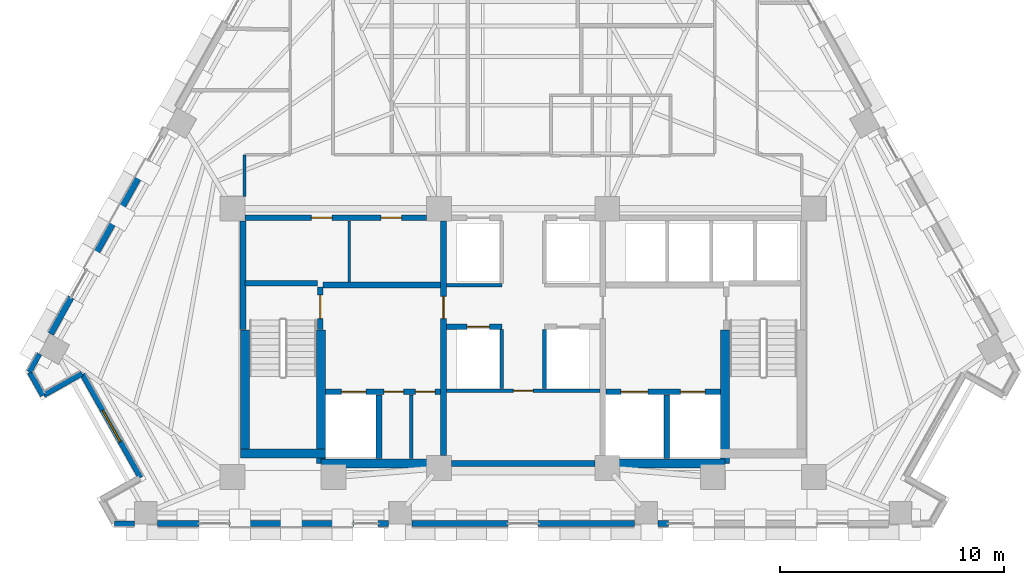
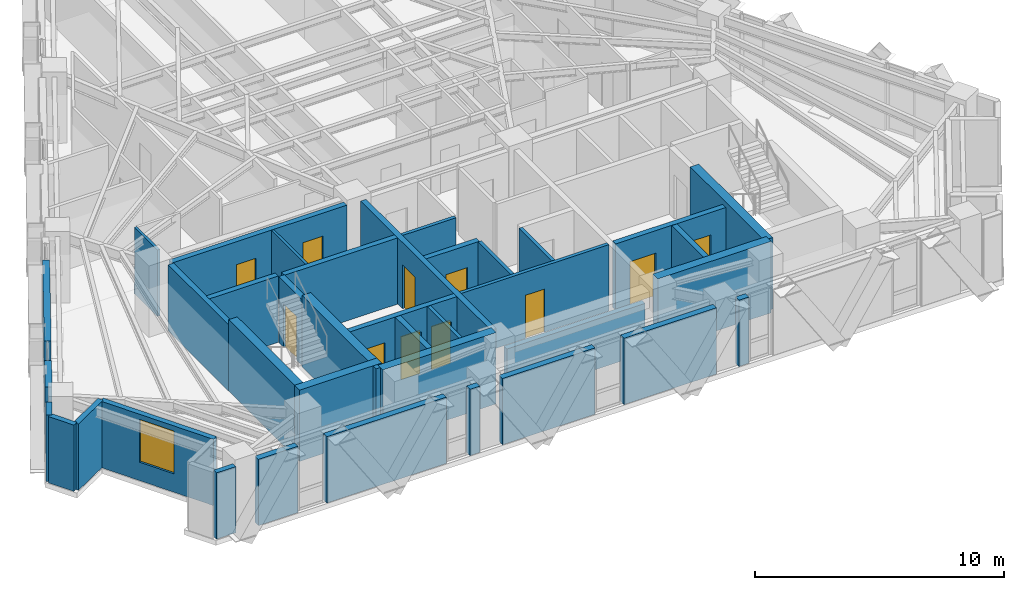
# One storey, part 7 of 13: 38 walls, 11 doors, 1 window, 12 openings.
"""IFC4 building model written with IfcOpenShell, lengths in metres."""

from ifc_helpers import new_model, si_unit, direction, frame, frame_2d, origin, place, context, subcontext, project, spatial, rectangle, extrude, material, layer, layer_set, type_object, element, fill, save


model = new_model("IFC4")

# Units and contexts
model_context = context("Model", 3, precision=1e-05, world=origin(), true_north=direction((0.0, 1.0)))
body_context = subcontext(model_context, "Body", "Model", "MODEL_VIEW")
ifc_project = project(units=[si_unit("LENGTHUNIT", "METRE"), si_unit("AREAUNIT", "SQUARE_METRE"), si_unit("VOLUMEUNIT", "CUBIC_METRE"), si_unit("PLANEANGLEUNIT", "RADIAN"), si_unit("MASSUNIT", "GRAM", prefix="KILO")], contexts=[model_context])

# Site, building, storey
site_placement = place(None, origin())
site = spatial("IfcSite", under=ifc_project, at=site_placement, CompositionType="ELEMENT")
building_placement = place(site_placement, origin())
building = spatial("IfcBuilding", under=site, at=building_placement, Name="Quenlor Broadcast Tower", CompositionType="ELEMENT")
storey_placement = place(building_placement, frame((0.0, 0.0, 172.0)))
storey = spatial("IfcBuildingStorey", under=building, at=storey_placement, Name="L47", CompositionType="ELEMENT", Elevation=172.0)

# Walls
ifc_material_1 = material(Name="Concrete C50/60", Category="concrete")
ifc_layer_1 = layer(ifc_material_1, 0.39990234375)
ifc_layer_set_1 = layer_set([ifc_layer_1], Name="Core Concrete C50/60 Shear Wall 400")
wall_type_1 = type_object("IfcWallType", Name="Core Concrete C50/60 Shear Wall 400", PredefinedType="SHEAR", material=ifc_layer_set_1)
wall_1_placement = place(storey_placement, frame((-12.60009765625, -15.699951171875, 0.0), z_axis=(0.0, 0.0, 1.0), x_axis=(1.0, 0.0, 0.0)))
element("IfcWall", 1, at=wall_1_placement, inside=storey, type_object=wall_type_1, Name="L47 Core Shear Wall WS-W1", PredefinedType="SHEAR", context=body_context, shape_type="SweptSolid", body=[
    extrude(rectangle(XDim=3.800048828125, YDim=0.39990234375, at=frame_2d((1.89990234375, 0.0))), origin(), (0.0, 0.0, 1.0), 3.5),
])
for number, where, z_axis, x_axis, name in (
    (2, (-9.0, -16.14990234375, 0.0), (0.0, 0.0, 1.0), (1.0, 0.0, 0.0), "L47 Core Shear Wall WS-W2"),
    (3, (3.75, -16.14990234375, 0.0), (0.0, 0.0, 1.0), (1.0, 0.0, 0.0), "L47 Core Shear Wall WS-E1"),
):
    element("IfcWall", number, at=place(storey_placement, frame(where, z_axis=z_axis, x_axis=x_axis)), inside=storey, type_object=wall_type_1, Name=name, PredefinedType="SHEAR", context=body_context, shape_type="SweptSolid", body=[
        extrude(rectangle(XDim=5.25, YDim=0.39990234375, at=frame_2d((2.625, 0.0))), origin(), (0.0, 0.0, 1.0), 3.5),
    ])
wall_2_placement = place(storey_placement, frame((-12.39990234375, -15.699951171875, 0.0), z_axis=(0.0, 0.0, 1.0), x_axis=(0.0, 1.0, 0.0)))
element("IfcWall", 4, at=wall_2_placement, inside=storey, type_object=wall_type_1, Name="L47 Core Shear Wall WF-W", PredefinedType="SHEAR", context=body_context, shape_type="SweptSolid", body=[
    extrude(rectangle(XDim=5.5, YDim=0.39990234375, at=frame_2d((2.75, 0.0))), origin(), (0.0, 0.0, 1.0), 3.5),
])
for number, where, z_axis, x_axis, name in (
    (5, (-9.0, -16.14990234375, 0.0), (0.0, 0.0, 1.0), (0.0, 1.0, 0.0), "L47 Core Shear Wall WI-W"),
    (6, (9.0, -16.14990234375, 0.0), (0.0, 0.0, 1.0), (0.0, 1.0, 0.0), "L47 Core Shear Wall WI-E"),
):
    element("IfcWall", number, at=place(storey_placement, frame(where, z_axis=z_axis, x_axis=x_axis)), inside=storey, type_object=wall_type_1, Name=name, PredefinedType="SHEAR", context=body_context, shape_type="SweptSolid", body=[
        extrude(rectangle(XDim=5.949951171875, YDim=0.39990234375, at=frame_2d((2.97509765625, 0.0))), origin(), (0.0, 0.0, 1.0), 3.5),
    ])

# Wall, opening, door
ifc_material_2 = material(Name="Concrete C40/50", Category="concrete")
ifc_layer_2 = layer(ifc_material_2, 0.25)
ifc_layer_set_2 = layer_set([ifc_layer_2], Name="Fire Rated Concrete C40/50 Core Wall 250")
wall_type_2 = type_object("IfcWallType", Name="Fire Rated Concrete C40/50 Core Wall 250", PredefinedType="PARTITIONING", material=ifc_layer_set_2)
wall_3_placement = place(storey_placement, frame((-9.0400390625, -10.179931640625, 0.0), z_axis=(0.0, 0.0, 1.0), x_axis=(0.0, 1.0, 0.0)))
wall_3 = element("IfcWall", 7, at=wall_3_placement, inside=storey, type_object=wall_type_2, Name="L47 Interior Wall CW-ST1-DR", PredefinedType="PARTITIONING", context=body_context, shape_type="SweptSolid", body=[
    extrude(rectangle(XDim=1.89990234375, YDim=0.25, at=frame_2d((0.949951171875, 0.0))), origin(), (0.0, 0.0, 1.0), 3.25),
])
opening_1_placement = place(wall_3_placement, frame((0.47998046875, 0.0, 0.0)))
opening_1 = element("IfcOpeningElement", 8, at=opening_1_placement, cuts=wall_3, Name="Opening FD-1", PredefinedType="OPENING", context=body_context, shape_type="SweptSolid", body=[
    extrude(rectangle(XDim=1.050048828125, YDim=2.14990234375, at=frame_2d((0.52490234375, 1.074951171875))), frame((0.0, 0.135009765625, 0.0), z_axis=(0.0, -1.0, 0.0), x_axis=(1.0, 0.0, 0.0)), (0.0, 0.0, 1.0), 0.27001953125),
])
ifc_material_3 = material(Name="Fire Rated Steel Door Leaf", Category="steel")
door_type_1 = type_object("IfcDoorType", Name="Fire Isolated Stair Door 1050x2150", OperationType="NOTDEFINED", PredefinedType="DOOR", material=ifc_material_3)
door_1_placement = place(opening_1_placement, origin())
door_1 = element("IfcDoor", 9, at=door_1_placement, inside=storey, type_object=door_type_1, Name="L47 Door DR-ST1", OperationType="SINGLE_SWING_LEFT", OverallHeight=2.14990234375, OverallWidth=1.050048828125, PredefinedType="DOOR", context=body_context, shape_type="SweptSolid", body=[
    extrude(rectangle(XDim=1.050048828125, YDim=2.14990234375, at=frame_2d((0.52490234375, 1.074951171875))), frame((0.0, 0.02490234375, 0.0), z_axis=(0.0, -1.0, 0.0), x_axis=(1.0, 0.0, 0.0)), (0.0, 0.0, 1.0), 0.050048828125),
])
fill(opening_1, door_1)

# Walls
wall_4_placement = place(storey_placement, frame((-12.3798828125, -8.1201171875, 0.0), z_axis=(0.0, 0.0, 1.0), x_axis=(1.0, 0.0, 0.0)))
element("IfcWall", 10, at=wall_4_placement, inside=storey, type_object=wall_type_2, Name="L47 Interior Wall CW-ST1-N", PredefinedType="PARTITIONING", context=body_context, shape_type="SweptSolid", body=[
    extrude(rectangle(XDim=3.219970703125, YDim=0.25, at=frame_2d((1.60986328125, 0.0))), origin(), (0.0, 0.0, 1.0), 3.25),
])
wall_5_placement = place(storey_placement, frame((-12.47998046875, -10.179931640625, 0.0), z_axis=(0.0, 0.0, 1.0), x_axis=(0.0, 1.0, 0.0)))
element("IfcWall", 11, at=wall_5_placement, inside=storey, type_object=wall_type_2, Name="L47 Interior Wall CW-ST1-W2", PredefinedType="PARTITIONING", context=body_context, shape_type="SweptSolid", body=[
    extrude(rectangle(XDim=4.827880859375, YDim=0.25, at=frame_2d((2.4140625, 0.0))), origin(), (0.0, 0.0, 1.0), 3.25),
])

# Wall, openings, doors
wall_6_placement = place(storey_placement, frame((-8.798095703125, -12.949951171875, 0.0), z_axis=(0.0, 0.0, 1.0), x_axis=(1.0, 0.0, 0.0)))
wall_6 = element("IfcWall", 12, at=wall_6_placement, inside=storey, type_object=wall_type_2, Name="L47 Interior Wall CW-FFW-S", PredefinedType="PARTITIONING", context=body_context, shape_type="SweptSolid", body=[
    extrude(rectangle(XDim=5.1181640625, YDim=0.25, at=frame_2d((2.55908203125, 0.0))), origin(), (0.0, 0.0, 1.0), 3.25),
])
opening_2_placement = place(wall_6_placement, frame((0.697998046875, 0.0, 0.0)))
opening_2 = element("IfcOpeningElement", 13, at=opening_2_placement, cuts=wall_6, Name="Opening LD-FFL-1", PredefinedType="OPENING", context=body_context, shape_type="SweptSolid", body=[
    extrude(rectangle(XDim=1.10009765625, YDim=2.14990234375, at=frame_2d((0.550048828125, 1.074951171875))), frame((0.0, 0.135009765625, 0.0), z_axis=(0.0, -1.0, 0.0), x_axis=(1.0, 0.0, 0.0)), (0.0, 0.0, 1.0), 0.27001953125),
])
opening_3_placement = place(wall_6_placement, frame((2.597900390625, 0.0, 0.0)))
opening_3 = element("IfcOpeningElement", 14, at=opening_3_placement, cuts=wall_6, Name="Opening TD-1", PredefinedType="OPENING", context=body_context, shape_type="SweptSolid", body=[
    extrude(rectangle(XDim=0.8798828125, YDim=2.10009765625, at=frame_2d((0.43994140625, 1.050048828125))), frame((0.0, 0.135009765625, 0.0), z_axis=(0.0, -1.0, 0.0), x_axis=(1.0, 0.0, 0.0)), (0.0, 0.0, 1.0), 0.27001953125),
])
opening_4_placement = place(wall_6_placement, frame((3.998046875, 0.0, 0.0)))
opening_4 = element("IfcOpeningElement", 15, at=opening_4_placement, cuts=wall_6, Name="Opening TD-1", PredefinedType="OPENING", context=body_context, shape_type="SweptSolid", body=[
    extrude(rectangle(XDim=0.8798828125, YDim=2.10009765625, at=frame_2d((0.43994140625, 1.050048828125))), frame((0.0, 0.135009765625, 0.0), z_axis=(0.0, -1.0, 0.0), x_axis=(1.0, 0.0, 0.0)), (0.0, 0.0, 1.0), 0.27001953125),
])
ifc_material_4 = material(Name="Brushed Stainless Steel", Category="steel")
door_type_2 = type_object("IfcDoorType", Name="Emergency Lift Sliding Landing Door 1100x2150", OperationType="NOTDEFINED", PredefinedType="DOOR", material=ifc_material_4)
door_2_placement = place(opening_2_placement, origin())
door_2 = element("IfcDoor", 16, at=door_2_placement, inside=storey, type_object=door_type_2, Name="L47 Door LD-FFL-1", OperationType="SLIDING_TO_LEFT", OverallHeight=2.14990234375, OverallWidth=1.10009765625, PredefinedType="DOOR", context=body_context, shape_type="SweptSolid", body=[
    extrude(rectangle(XDim=1.10009765625, YDim=2.14990234375, at=frame_2d((0.550048828125, 1.074951171875))), frame((0.0, 0.02490234375, 0.0), z_axis=(0.0, -1.0, 0.0), x_axis=(1.0, 0.0, 0.0)), (0.0, 0.0, 1.0), 0.050048828125),
])
fill(opening_2, door_2)
ifc_material_5 = material(Name="Fire Rated Steel Access Panel", Category="steel")
door_type_3 = type_object("IfcDoorType", Name="Riser Shaft Rated Access Trapdoor 880x2100", OperationType="NOTDEFINED", PredefinedType="TRAPDOOR", material=ifc_material_5)
door_3_placement = place(opening_3_placement, origin())
door_3 = element("IfcDoor", 17, at=door_3_placement, inside=storey, type_object=door_type_3, Name="L47 Door DR-ELR", OperationType="SINGLE_SWING_LEFT", OverallHeight=2.10009765625, OverallWidth=0.8798828125, PredefinedType="TRAPDOOR", context=body_context, shape_type="SweptSolid", body=[
    extrude(rectangle(XDim=0.8798828125, YDim=2.10009765625, at=frame_2d((0.43994140625, 1.050048828125))), frame((0.0, 0.02490234375, 0.0), z_axis=(0.0, -1.0, 0.0), x_axis=(1.0, 0.0, 0.0)), (0.0, 0.0, 1.0), 0.050048828125),
])
fill(opening_3, door_3)
door_4_placement = place(opening_4_placement, origin())
door_4 = element("IfcDoor", 18, at=door_4_placement, inside=storey, type_object=door_type_3, Name="L47 Door DR-CMR", OperationType="SINGLE_SWING_RIGHT", OverallHeight=2.10009765625, OverallWidth=0.8798828125, PredefinedType="TRAPDOOR", context=body_context, shape_type="SweptSolid", body=[
    extrude(rectangle(XDim=0.8798828125, YDim=2.10009765625, at=frame_2d((0.43994140625, 1.050048828125))), frame((0.0, 0.02490234375, 0.0), z_axis=(0.0, -1.0, 0.0), x_axis=(1.0, 0.0, 0.0)), (0.0, 0.0, 1.0), 0.050048828125),
])
fill(opening_4, door_4)

wall_7_placement = place(storey_placement, frame((3.679931640625, -12.949951171875, 0.0), z_axis=(0.0, 0.0, 1.0), x_axis=(1.0, 0.0, 0.0)))
wall_7 = element("IfcWall", 19, at=wall_7_placement, inside=storey, type_object=wall_type_2, Name="L47 Interior Wall CW-FFE-S", PredefinedType="PARTITIONING", context=body_context, shape_type="SweptSolid", body=[
    extrude(rectangle(XDim=5.1181640625, YDim=0.25, at=frame_2d((2.55908203125, 0.0))), origin(), (0.0, 0.0, 1.0), 3.25),
])
opening_5_placement = place(wall_7_placement, frame((3.320068359375, 0.0, 0.0)))
opening_5 = element("IfcOpeningElement", 20, at=opening_5_placement, cuts=wall_7, Name="Opening LD-FFL-2", PredefinedType="OPENING", context=body_context, shape_type="SweptSolid", body=[
    extrude(rectangle(XDim=1.10009765625, YDim=2.14990234375, at=frame_2d((0.550048828125, 1.074951171875))), frame((0.0, 0.135009765625, 0.0), z_axis=(0.0, -1.0, 0.0), x_axis=(1.0, 0.0, 0.0)), (0.0, 0.0, 1.0), 0.27001953125),
])
opening_6_placement = place(wall_7_placement, frame((0.669921875, 0.0, 0.0)))
opening_6 = element("IfcOpeningElement", 21, at=opening_6_placement, cuts=wall_7, Name="Opening LD-SVL-1", PredefinedType="OPENING", context=body_context, shape_type="SweptSolid", body=[
    extrude(rectangle(XDim=1.199951171875, YDim=2.14990234375, at=frame_2d((0.60009765625, 1.074951171875))), frame((0.0, 0.135009765625, 0.0), z_axis=(0.0, -1.0, 0.0), x_axis=(1.0, 0.0, 0.0)), (0.0, 0.0, 1.0), 0.27001953125),
])
door_5_placement = place(opening_5_placement, origin())
door_5 = element("IfcDoor", 22, at=door_5_placement, inside=storey, type_object=door_type_2, Name="L47 Door LD-FFL-2", OperationType="SLIDING_TO_RIGHT", OverallHeight=2.14990234375, OverallWidth=1.10009765625, PredefinedType="DOOR", context=body_context, shape_type="SweptSolid", body=[
    extrude(rectangle(XDim=1.10009765625, YDim=2.14990234375, at=frame_2d((0.550048828125, 1.074951171875))), frame((0.0, 0.02490234375, 0.0), z_axis=(0.0, -1.0, 0.0), x_axis=(1.0, 0.0, 0.0)), (0.0, 0.0, 1.0), 0.050048828125),
])
fill(opening_5, door_5)
ifc_material_6 = material(Name="Brushed Stainless Steel", Category="steel")
door_type_4 = type_object("IfcDoorType", Name="Goods Lift Sliding Landing Door 1200x2150", OperationType="NOTDEFINED", PredefinedType="DOOR", material=ifc_material_6)
door_6_placement = place(opening_6_placement, origin())
door_6 = element("IfcDoor", 23, at=door_6_placement, inside=storey, type_object=door_type_4, Name="L47 Door LD-SVL-1", OperationType="SLIDING_TO_LEFT", OverallHeight=2.14990234375, OverallWidth=1.199951171875, PredefinedType="DOOR", context=body_context, shape_type="SweptSolid", body=[
    extrude(rectangle(XDim=1.199951171875, YDim=2.14990234375, at=frame_2d((0.60009765625, 1.074951171875))), frame((0.0, 0.02490234375, 0.0), z_axis=(0.0, -1.0, 0.0), x_axis=(1.0, 0.0, 0.0)), (0.0, 0.0, 1.0), 0.050048828125),
])
fill(opening_6, door_6)

# Walls
for number, where, z_axis, x_axis, name in (
    (24, (-6.419921875, -15.919921875, 0.0), (0.0, 0.0, 1.0), (0.0, 1.0, 0.0), "L47 Interior Wall CW-FF1-E"),
    (25, (6.39990234375, -15.919921875, 0.0), (0.0, 0.0, 1.0), (0.0, 1.0, 0.0), "L47 Interior Wall CW-SV1-E"),
):
    element("IfcWall", number, at=place(storey_placement, frame(where, z_axis=z_axis, x_axis=x_axis)), inside=storey, type_object=wall_type_2, Name=name, PredefinedType="PARTITIONING", context=body_context, shape_type="SweptSolid", body=[
        extrude(rectangle(XDim=2.829833984375, YDim=0.25, at=frame_2d((1.4150390625, 0.0))), origin(), (0.0, 0.0, 1.0), 3.25),
    ])
wall_8_placement = place(storey_placement, frame((-8.919921875, -8.199951171875, 0.0), z_axis=(0.0, 0.0, 1.0), x_axis=(1.0, 0.0, 0.0)))
element("IfcWall", 26, at=wall_8_placement, inside=storey, type_object=wall_type_2, Name="L47 Interior Wall CW-FFW-N", PredefinedType="PARTITIONING", context=body_context, shape_type="SweptSolid", body=[
    extrude(rectangle(XDim=5.239990234375, YDim=0.25, at=frame_2d((2.6201171875, 0.0))), origin(), (0.0, 0.0, 1.0), 3.25),
])

# Wall, opening, door
wall_9_placement = place(storey_placement, frame((-3.550048828125, -15.798095703125, 0.0), z_axis=(0.0, 0.0, 1.0), x_axis=(0.0, 1.0, 0.0)))
wall_9 = element("IfcWall", 27, at=wall_9_placement, inside=storey, type_object=wall_type_2, Name="L47 Interior Wall CW-FFW-E", PredefinedType="PARTITIONING", context=body_context, shape_type="SweptSolid", body=[
    extrude(rectangle(XDim=10.446044921875, YDim=0.25, at=frame_2d((5.22314453125, 0.0))), origin(), (0.0, 0.0, 1.0), 3.25),
])
opening_7_placement = place(wall_9_placement, frame((6.097900390625, 0.0, 0.0)))
opening_7 = element("IfcOpeningElement", 28, at=opening_7_placement, cuts=wall_9, Name="Opening FD-2", PredefinedType="OPENING", context=body_context, shape_type="SweptSolid", body=[
    extrude(rectangle(XDim=1.0, YDim=2.14990234375, at=frame_2d((0.5, 1.074951171875))), frame((0.0, 0.135009765625, 0.0), z_axis=(0.0, -1.0, 0.0), x_axis=(1.0, 0.0, 0.0)), (0.0, 0.0, 1.0), 0.27001953125),
])
ifc_material_7 = material(Name="Fire Rated Glazed Steel Door", Category="steel")
door_type_5 = type_object("IfcDoorType", Name="Firefighting Lobby Smoke Door 1000x2150", OperationType="NOTDEFINED", PredefinedType="DOOR", material=ifc_material_7)
door_7_placement = place(opening_7_placement, origin())
door_7 = element("IfcDoor", 29, at=door_7_placement, inside=storey, type_object=door_type_5, Name="L47 Door DR-FFLW", OperationType="SINGLE_SWING_RIGHT", OverallHeight=2.14990234375, OverallWidth=1.0, PredefinedType="DOOR", context=body_context, shape_type="SweptSolid", body=[
    extrude(rectangle(XDim=1.0, YDim=2.14990234375, at=frame_2d((0.5, 1.074951171875))), frame((0.0, 0.02490234375, 0.0), z_axis=(0.0, -1.0, 0.0), x_axis=(1.0, 0.0, 0.0)), (0.0, 0.0, 1.0), 0.050048828125),
])
fill(opening_7, door_7)

# Wall, openings, doors
wall_10_placement = place(storey_placement, frame((-12.39794921875, -5.199951171875, 0.0), z_axis=(0.0, 0.0, 1.0), x_axis=(1.0, 0.0, 0.0)))
wall_10 = element("IfcWall", 30, at=wall_10_placement, inside=storey, type_object=wall_type_2, Name="L47 Interior Wall CW-N-W", PredefinedType="PARTITIONING", context=body_context, shape_type="SweptSolid", body=[
    extrude(rectangle(XDim=8.095947265625, YDim=0.25, at=frame_2d((4.0478515625, 0.0))), origin(), (0.0, 0.0, 1.0), 3.25),
])
opening_8_placement = place(wall_10_placement, frame((2.968017578125, 0.0, 0.0)))
opening_8 = element("IfcOpeningElement", 31, at=opening_8_placement, cuts=wall_10, Name="Opening ID-1", PredefinedType="OPENING", context=body_context, shape_type="SweptSolid", body=[
    extrude(rectangle(XDim=0.919921875, YDim=2.1201171875, at=frame_2d((0.4599609375, 1.06005859375))), frame((0.0, 0.135009765625, 0.0), z_axis=(0.0, -1.0, 0.0), x_axis=(1.0, 0.0, 0.0)), (0.0, 0.0, 1.0), 0.27001953125),
])
opening_9_placement = place(wall_10_placement, frame((6.068115234375, 0.0, 0.0)))
opening_9 = element("IfcOpeningElement", 32, at=opening_9_placement, cuts=wall_10, Name="Opening ID-1", PredefinedType="OPENING", context=body_context, shape_type="SweptSolid", body=[
    extrude(rectangle(XDim=0.919921875, YDim=2.1201171875, at=frame_2d((0.4599609375, 1.06005859375))), frame((0.0, 0.135009765625, 0.0), z_axis=(0.0, -1.0, 0.0), x_axis=(1.0, 0.0, 0.0)), (0.0, 0.0, 1.0), 0.27001953125),
])
ifc_material_8 = material(Name="Solid Core Timber Oak", Category="wood")
door_type_6 = type_object("IfcDoorType", Name="Single Leaf Timber Office Door 920x2120", OperationType="NOTDEFINED", PredefinedType="DOOR", material=ifc_material_8)
door_8_placement = place(opening_8_placement, origin())
door_8 = element("IfcDoor", 33, at=door_8_placement, inside=storey, type_object=door_type_6, Name="L47 Door DR-RCL1", OperationType="SINGLE_SWING_LEFT", OverallHeight=2.1201171875, OverallWidth=0.919921875, PredefinedType="DOOR", context=body_context, shape_type="SweptSolid", body=[
    extrude(rectangle(XDim=0.919921875, YDim=2.1201171875, at=frame_2d((0.4599609375, 1.06005859375))), frame((0.0, 0.02490234375, 0.0), z_axis=(0.0, -1.0, 0.0), x_axis=(1.0, 0.0, 0.0)), (0.0, 0.0, 1.0), 0.050048828125),
])
fill(opening_8, door_8)
door_9_placement = place(opening_9_placement, origin())
door_9 = element("IfcDoor", 34, at=door_9_placement, inside=storey, type_object=door_type_6, Name="L47 Door DR-RCL2", OperationType="SINGLE_SWING_RIGHT", OverallHeight=2.1201171875, OverallWidth=0.919921875, PredefinedType="DOOR", context=body_context, shape_type="SweptSolid", body=[
    extrude(rectangle(XDim=0.919921875, YDim=2.1201171875, at=frame_2d((0.4599609375, 1.06005859375))), frame((0.0, 0.02490234375, 0.0), z_axis=(0.0, -1.0, 0.0), x_axis=(1.0, 0.0, 0.0)), (0.0, 0.0, 1.0), 0.050048828125),
])
fill(opening_9, door_9)

# Wall
wall_11_placement = place(storey_placement, frame((-3.197998046875, -16.14990234375, 0.0), z_axis=(0.0, 0.0, 1.0), x_axis=(1.0, 0.0, 0.0)))
element("IfcWall", 35, at=wall_11_placement, inside=storey, type_object=wall_type_2, Name="L47 Interior Wall CW-MS-S", PredefinedType="PARTITIONING", context=body_context, shape_type="SweptSolid", body=[
    extrude(rectangle(XDim=6.39599609375, YDim=0.25, at=frame_2d((3.197998046875, 0.0))), origin(), (0.0, 0.0, 1.0), 2.449951171875),
])

# Wall, opening, door
wall_12_placement = place(storey_placement, frame((-3.419921875, -10.050048828125, 0.0), z_axis=(0.0, 0.0, 1.0), x_axis=(1.0, 0.0, 0.0)))
wall_12 = element("IfcWall", 36, at=wall_12_placement, inside=storey, type_object=wall_type_2, Name="L47 Interior Wall CW-MS-N1", PredefinedType="PARTITIONING", context=body_context, shape_type="SweptSolid", body=[
    extrude(rectangle(XDim=2.469970703125, YDim=0.25, at=frame_2d((1.23486328125, 0.0))), origin(), (0.0, 0.0, 1.0), 3.25),
])
opening_10_placement = place(wall_12_placement, frame((0.919921875, 0.0, 0.0)))
opening_10 = element("IfcOpeningElement", 37, at=opening_10_placement, cuts=wall_12, Name="Opening LD-PL-M3", PredefinedType="OPENING", context=body_context, shape_type="SweptSolid", body=[
    extrude(rectangle(XDim=1.0, YDim=2.14990234375, at=frame_2d((0.5, 1.074951171875))), frame((0.0, 0.135009765625, 0.0), z_axis=(0.0, -1.0, 0.0), x_axis=(1.0, 0.0, 0.0)), (0.0, 0.0, 1.0), 0.27001953125),
])
ifc_material_9 = material(Name="Brushed Stainless Steel", Category="steel")
door_type_7 = type_object("IfcDoorType", Name="Passenger Lift Sliding Landing Door 1000x2150", OperationType="NOTDEFINED", PredefinedType="DOOR", material=ifc_material_9)
door_10_placement = place(opening_10_placement, origin())
door_10 = element("IfcDoor", 38, at=door_10_placement, inside=storey, type_object=door_type_7, Name="L47 Door LD-PL-M3", OperationType="SLIDING_TO_LEFT", OverallHeight=2.14990234375, OverallWidth=1.0, PredefinedType="DOOR", context=body_context, shape_type="SweptSolid", body=[
    extrude(rectangle(XDim=1.0, YDim=2.14990234375, at=frame_2d((0.5, 1.074951171875))), frame((0.0, 0.02490234375, 0.0), z_axis=(0.0, -1.0, 0.0), x_axis=(1.0, 0.0, 0.0)), (0.0, 0.0, 1.0), 0.050048828125),
])
fill(opening_10, door_10)

# Walls
ifc_material_10 = material(Name="Gypsum Fireboard Partition", Category="other")
ifc_layer_3 = layer(ifc_material_10, 0.159912109375)
ifc_layer_set_3 = layer_set([ifc_layer_3], Name="Fire Rated Shaft and Corridor Partition 160")
wall_type_3 = type_object("IfcWallType", Name="Fire Rated Shaft and Corridor Partition 160", PredefinedType="PARTITIONING", material=ifc_layer_set_3)
wall_13_placement = place(storey_placement, frame((-4.97998046875, -15.919921875, 0.0), z_axis=(0.0, 0.0, 1.0), x_axis=(0.0, 1.0, 0.0)))
element("IfcWall", 39, at=wall_13_placement, inside=storey, type_object=wall_type_3, Name="L47 Interior Wall CW-ELR-E", PredefinedType="PARTITIONING", context=body_context, shape_type="SweptSolid", body=[
    extrude(rectangle(XDim=2.829833984375, YDim=0.159912109375, at=frame_2d((1.4150390625, 0.0))), origin(), (0.0, 0.0, 1.0), 3.25),
])
wall_14_placement = place(storey_placement, frame((-3.419921875, -8.199951171875, 0.0), z_axis=(0.0, 0.0, 1.0), x_axis=(1.0, 0.0, 0.0)))
element("IfcWall", 40, at=wall_14_placement, inside=storey, type_object=wall_type_3, Name="L47 Interior Wall CW-M-BACK1", PredefinedType="PARTITIONING", context=body_context, shape_type="SweptSolid", body=[
    extrude(rectangle(XDim=2.469970703125, YDim=0.159912109375, at=frame_2d((1.23486328125, 0.0))), origin(), (0.0, 0.0, 1.0), 3.25),
])

# Wall, opening, door
wall_15_placement = place(storey_placement, frame((-3.419921875, -12.89990234375, 0.0), z_axis=(0.0, 0.0, 1.0), x_axis=(1.0, 0.0, 0.0)))
wall_15 = element("IfcWall", 41, at=wall_15_placement, inside=storey, type_object=wall_type_3, Name="L47 Interior Wall CW-MS-B", PredefinedType="PARTITIONING", context=body_context, shape_type="SweptSolid", body=[
    extrude(rectangle(XDim=6.83984375, YDim=0.159912109375, at=frame_2d((3.419921875, 0.0))), origin(), (0.0, 0.0, 1.0), 3.25),
])
opening_11_placement = place(wall_15_placement, frame((2.97998046875, 0.0, 0.0)))
opening_11 = element("IfcOpeningElement", 42, at=opening_11_placement, cuts=wall_15, Name="Opening ID-4", PredefinedType="OPENING", context=body_context, shape_type="SweptSolid", body=[
    extrude(rectangle(XDim=0.8798828125, YDim=2.1201171875, at=frame_2d((0.43994140625, 1.06005859375))), frame((0.0, 0.08984375, 0.0), z_axis=(0.0, -1.0, 0.0), x_axis=(1.0, 0.0, 0.0)), (0.0, 0.0, 1.0), 0.179931640625),
])
ifc_material_11 = material(Name="Solid Core Timber Oak", Category="wood")
door_type_8 = type_object("IfcDoorType", Name="Service Closet Timber Door 880x2120", OperationType="NOTDEFINED", PredefinedType="DOOR", material=ifc_material_11)
door_11_placement = place(opening_11_placement, origin())
door_11 = element("IfcDoor", 43, at=door_11_placement, inside=storey, type_object=door_type_8, Name="L47 Door DR-CSV0", OperationType="SINGLE_SWING_LEFT", OverallHeight=2.1201171875, OverallWidth=0.8798828125, PredefinedType="DOOR", context=body_context, shape_type="SweptSolid", body=[
    extrude(rectangle(XDim=0.8798828125, YDim=2.1201171875, at=frame_2d((0.43994140625, 1.06005859375))), frame((0.0, 0.02490234375, 0.0), z_axis=(0.0, -1.0, 0.0), x_axis=(1.0, 0.0, 0.0)), (0.0, 0.0, 1.0), 0.050048828125),
])
fill(opening_11, door_11)

# Walls
for number, where, z_axis, x_axis, name in (
    (44, (-0.949951171875, -12.818115234375, 0.0), (0.0, 0.0, 1.0), (0.0, 1.0, 0.0), "L47 Interior Wall CW-MS-W"),
    (45, (0.949951171875, -12.818115234375, 0.0), (0.0, 0.0, 1.0), (0.0, 1.0, 0.0), "L47 Interior Wall CW-MS-E"),
):
    element("IfcWall", number, at=place(storey_placement, frame(where, z_axis=z_axis, x_axis=x_axis)), inside=storey, type_object=wall_type_3, Name=name, PredefinedType="PARTITIONING", context=body_context, shape_type="SweptSolid", body=[
        extrude(rectangle(XDim=2.63818359375, YDim=0.159912109375, at=frame_2d((1.319091796875, 0.0))), origin(), (0.0, 0.0, 1.0), 3.25),
    ])
ifc_material_12 = material(Name="Gypsum Plasterboard Partition", Category="other")
ifc_layer_4 = layer(ifc_material_12, 0.1201171875)
ifc_layer_set_4 = layer_set([ifc_layer_4], Name="Standard Office Partition 120")
wall_type_4 = type_object("IfcWallType", Name="Standard Office Partition 120", PredefinedType="PARTITIONING", material=ifc_layer_set_4)
wall_16_placement = place(storey_placement, frame((-7.75, -8.072998046875, 0.0), z_axis=(0.0, 0.0, 1.0), x_axis=(0.0, 1.0, 0.0)))
element("IfcWall", 46, at=wall_16_placement, inside=storey, type_object=wall_type_4, Name="L47 Interior Wall CW-RCL-MID", PredefinedType="PARTITIONING", context=body_context, shape_type="SweptSolid", body=[
    extrude(rectangle(XDim=2.73291015625, YDim=0.1201171875, at=frame_2d((1.366455078125, 0.0))), origin(), (0.0, 0.0, 1.0), 3.25),
])
wall_17_placement = place(storey_placement, frame((-12.409912109375, -4.248046875, 0.0), z_axis=(0.0, 0.0, 1.0), x_axis=(0.0, 1.0, 0.0)))
element("IfcWall", 47, at=wall_17_placement, inside=storey, type_object=wall_type_4, Name="L47 Interior Wall PW-CR-01", PredefinedType="PARTITIONING", context=body_context, shape_type="SweptSolid", body=[
    extrude(rectangle(XDim=1.84814453125, YDim=0.1201171875, at=frame_2d((0.924072265625, 0.0))), origin(), (0.0, 0.0, 1.0), 3.25),
])
ifc_material_13 = material(Name="Precast concrete C40/50", Category="concrete")
ifc_layer_5 = layer(ifc_material_13, 0.239990234375)
ifc_layer_set_5 = layer_set([ifc_layer_5], Name="Terrace Threshold Precast Concrete C40/50 Wall 240")
wall_type_5 = type_object("IfcWallType", Name="Terrace Threshold Precast Concrete C40/50 Wall 240", PredefinedType="STANDARD", material=ifc_layer_set_5)
wall_18_placement = place(storey_placement, frame((-17.3134765625, -18.824951171875, 0.0), z_axis=(0.0, 0.0, 1.0), x_axis=(-1.0, 0.0, 0.0)))
element("IfcWall", 48, at=wall_18_placement, inside=storey, type_object=wall_type_5, Name="L47 Exterior Wall L47-SHD-SS1", PredefinedType="STANDARD", context=body_context, shape_type="SweptSolid", body=[
    extrude(rectangle(XDim=0.896484375, YDim=0.239990234375, at=frame_2d((0.4482421875, 0.0))), origin(), (0.0, 0.0, 1.0), 3.25),
])
wall_19_placement = place(storey_placement, frame((-22.003173828125, -12.073486328125, 0.0), z_axis=(0.0, 0.0, 1.0), x_axis=(0.490248718924, 0.871582579905, 0.0)))
element("IfcWall", 49, at=wall_19_placement, inside=storey, type_object=wall_type_5, Name="L47 Exterior Wall L47-SHD-NWS0", PredefinedType="STANDARD", context=body_context, shape_type="SweptSolid", body=[
    extrude(rectangle(XDim=0.92578125, YDim=0.239990234375, at=frame_2d((0.462890625, 0.0))), origin(), (0.0, 0.0, 1.0), 3.25),
])
wall_20_placement = place(storey_placement, frame((-21.976806640625, -12.08349609375, 0.0), z_axis=(0.0, 0.0, 1.0), x_axis=(0.490154352582, -0.871635652463, 0.0)))
element("IfcWall", 50, at=wall_20_placement, inside=storey, type_object=wall_type_5, Name="L47 Exterior Wall L47-CNR-12", PredefinedType="STANDARD", context=body_context, shape_type="SweptSolid", body=[
    extrude(rectangle(XDim=1.19287109375, YDim=0.239990234375, at=frame_2d((0.596435546875, 0.0))), origin(), (0.0, 0.0, 1.0), 3.25),
])
wall_21_placement = place(storey_placement, frame((-21.357421875, -13.103515625, 0.0), z_axis=(0.0, 0.0, 1.0), x_axis=(0.871595493845, 0.490225759328, 0.0)))
element("IfcWall", 51, at=wall_21_placement, inside=storey, type_object=wall_type_5, Name="L47 Exterior Wall L47-CNR-13", PredefinedType="STANDARD", context=body_context, shape_type="SweptSolid", body=[
    extrude(rectangle(XDim=1.960205078125, YDim=0.239990234375, at=frame_2d((0.97998046875, 0.0))), origin(), (0.0, 0.0, 1.0), 3.25),
])

# Wall, opening, window
wall_22_placement = place(storey_placement, frame((-19.62939453125, -12.177490234375, 0.0), z_axis=(0.0, 0.0, 1.0), x_axis=(0.490276606961, -0.871566892824, 0.0)))
wall_22 = element("IfcWall", 52, at=wall_22_placement, inside=storey, type_object=wall_type_5, Name="L47 Exterior Wall L47-CNR-14", PredefinedType="STANDARD", context=body_context, shape_type="SweptSolid", body=[
    extrude(rectangle(XDim=5.280029296875, YDim=0.239990234375, at=frame_2d((2.64013671875, 0.0))), origin(), (0.0, 0.0, 1.0), 3.25),
])
opening_12_placement = place(wall_22_placement, frame((1.840087890625, 0.0, 0.89990234375)))
opening_12 = element("IfcOpeningElement", 53, at=opening_12_placement, cuts=wall_22, Name="Opening WN-2", PredefinedType="OPENING", context=body_context, shape_type="SweptSolid", body=[
    extrude(rectangle(XDim=1.60009765625, YDim=2.10009765625, at=frame_2d((0.800048828125, 1.050048828125))), frame((0.0, 0.1298828125, 0.0), z_axis=(0.0, -1.0, 0.0), x_axis=(1.0, 0.0, 0.0)), (0.0, 0.0, 1.0), 0.260009765625),
])
ifc_material_14 = material(Name="Thermally Broken Aluminium and Low-E Glass", Category="aluminium")
window_type = type_object("IfcWindowType", Name="Tower Studio Punched Window 1600x2100", PartitioningType="SINGLE_PANEL", PredefinedType="WINDOW", material=ifc_material_14)
window_placement = place(opening_12_placement, origin())
window = element("IfcWindow", 54, at=window_placement, inside=storey, type_object=window_type, Name="L47 Corner Chamfer Window 14", OverallHeight=2.10009765625, OverallWidth=1.60009765625, PartitioningType="SINGLE_PANEL", PredefinedType="WINDOW", context=body_context, shape_type="SweptSolid", body=[
    extrude(rectangle(XDim=1.60009765625, YDim=2.10009765625, at=frame_2d((0.800048828125, 1.050048828125))), frame((0.0, 0.030029296875, 0.0), z_axis=(0.0, -1.0, 0.0), x_axis=(1.0, 0.0, 0.0)), (0.0, 0.0, 1.0), 0.06005859375),
])
fill(opening_12, window)

# Walls
ifc_material_15 = material(Name="Precast concrete C40/50", Category="concrete")
ifc_layer_6 = layer(ifc_material_15, 0.280029296875)
ifc_layer_set_6 = layer_set([ifc_layer_6], Name="Terracotta Precast Concrete C40/50 Facade Wall 280")
wall_type_6 = type_object("IfcWallType", Name="Terracotta Precast Concrete C40/50 Facade Wall 280", PredefinedType="STANDARD", material=ifc_layer_set_6)
for number, where, z_axis, x_axis, name in (
    (55, (6.466064453125, -18.824951171875, 0.0), (0.0, 0.0, 1.0), (-1.0, 0.0, 0.0), "L47 Exterior Wall L47-SA-SP3"),
    (56, (-6.006103515625, -18.824951171875, 0.0), (0.0, 0.0, 1.0), (-1.0, 0.0, 0.0), "L47 Exterior Wall L47-SC-SP1"),
):
    element("IfcWall", number, at=place(storey_placement, frame(where, z_axis=z_axis, x_axis=x_axis)), inside=storey, type_object=wall_type_6, Name=name, PredefinedType="STANDARD", context=body_context, shape_type="SweptSolid", body=[
        extrude(rectangle(XDim=0.4599609375, YDim=0.280029296875, at=frame_2d((0.22998046875, 0.0))), origin(), (0.0, 0.0, 1.0), 3.25),
    ])
wall_23_placement = place(storey_placement, frame((-7.556884765625, -18.824951171875, 0.0), z_axis=(0.0, 0.0, 1.0), x_axis=(-1.0, 0.0, 0.0)))
element("IfcWall", 57, at=wall_23_placement, inside=storey, type_object=wall_type_6, Name="L47 Exterior Wall L47-SC-SP2", PredefinedType="STANDARD", context=body_context, shape_type="SweptSolid", body=[
    extrude(rectangle(XDim=5.550048828125, YDim=0.280029296875, at=frame_2d((2.77490234375, 0.0))), origin(), (0.0, 0.0, 1.0), 3.25),
])
wall_24_placement = place(storey_placement, frame((-14.445068359375, -18.824951171875, 0.0), z_axis=(0.0, 0.0, 1.0), x_axis=(-1.0, 0.0, 0.0)))
element("IfcWall", 58, at=wall_24_placement, inside=storey, type_object=wall_type_6, Name="L47 Exterior Wall L47-SC-SP3", PredefinedType="STANDARD", context=body_context, shape_type="SweptSolid", body=[
    extrude(rectangle(XDim=1.83837890625, YDim=0.280029296875, at=frame_2d((0.919189453125, 0.0))), origin(), (0.0, 0.0, 1.0), 3.25),
])
for number, where, z_axis, x_axis, name in (
    (59, (4.9609375, -18.824951171875, 0.0), (0.0, 0.0, 1.0), (-1.0, 0.0, 0.0), "L47 Exterior Wall L47-S-SP1"),
    (60, (-0.6689453125, -18.824951171875, 0.0), (0.0, 0.0, 1.0), (-1.0, 0.0, 0.0), "L47 Exterior Wall L47-S-SP2"),
):
    element("IfcWall", number, at=place(storey_placement, frame(where, z_axis=z_axis, x_axis=x_axis)), inside=storey, type_object=wall_type_6, Name=name, PredefinedType="STANDARD", context=body_context, shape_type="SweptSolid", body=[
        extrude(rectangle(XDim=4.2919921875, YDim=0.280029296875, at=frame_2d((2.14599609375, 0.0))), origin(), (0.0, 0.0, 1.0), 3.25),
    ])
wall_25_placement = place(storey_placement, frame((-21.044189453125, -10.368896484375, 0.0), z_axis=(0.0, 0.0, 1.0), x_axis=(0.490248749158, 0.871582562899, 0.0)))
element("IfcWall", 61, at=wall_25_placement, inside=storey, type_object=wall_type_6, Name="L47 Exterior Wall L47-NWA-SP1", PredefinedType="STANDARD", context=body_context, shape_type="SweptSolid", body=[
    extrude(rectangle(XDim=1.85595703125, YDim=0.280029296875, at=frame_2d((0.927978515625, 0.0))), origin(), (0.0, 0.0, 1.0), 3.25),
])
wall_26_placement = place(storey_placement, frame((-19.452880859375, -7.5400390625, 0.0), z_axis=(0.0, 0.0, 1.0), x_axis=(0.490238645956, 0.871588245682, 0.0)))
element("IfcWall", 62, at=wall_26_placement, inside=storey, type_object=wall_type_6, Name="L47 Exterior Wall L47-NWA-SP2", PredefinedType="STANDARD", context=body_context, shape_type="SweptSolid", body=[
    extrude(rectangle(XDim=5.643310546875, YDim=0.280029296875, at=frame_2d((2.82177734375, 0.0))), origin(), (0.0, 0.0, 1.0), 3.25),
])

save(model, "model.ifc")
